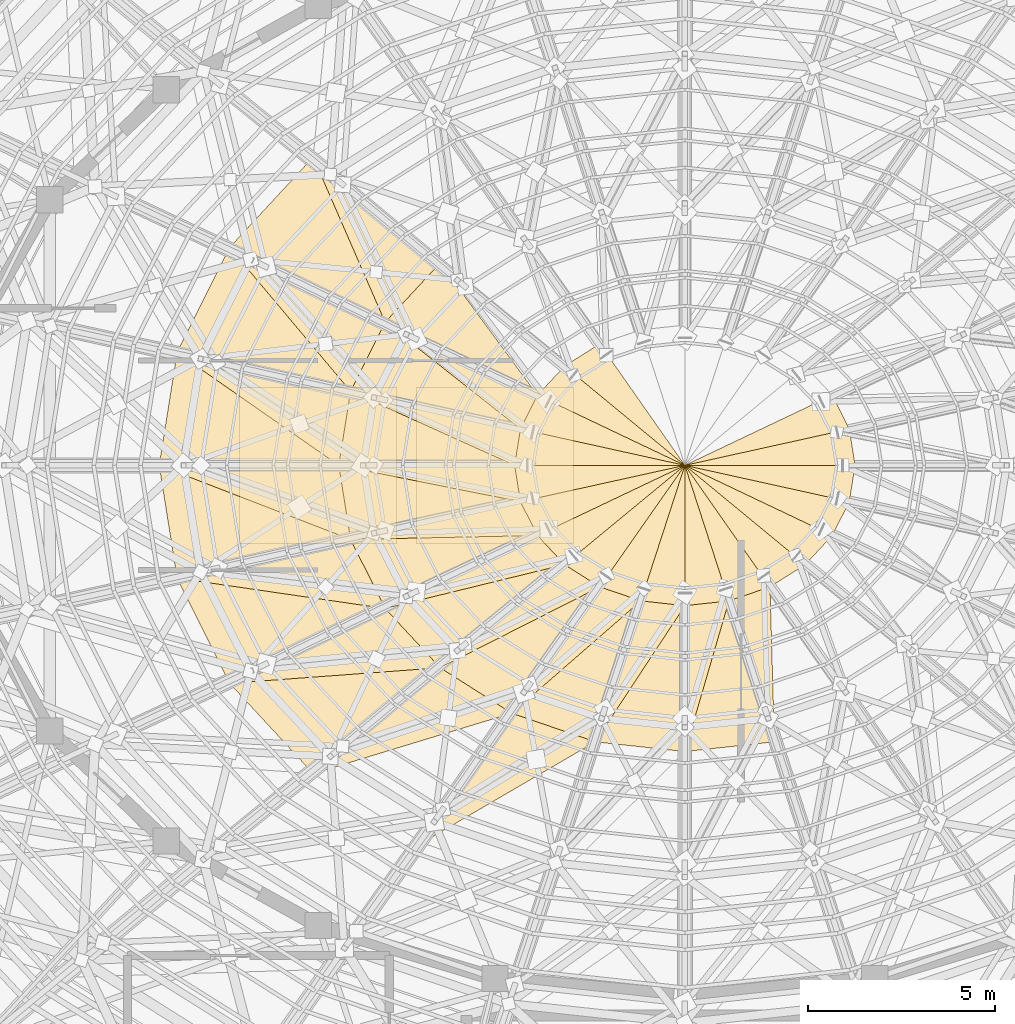
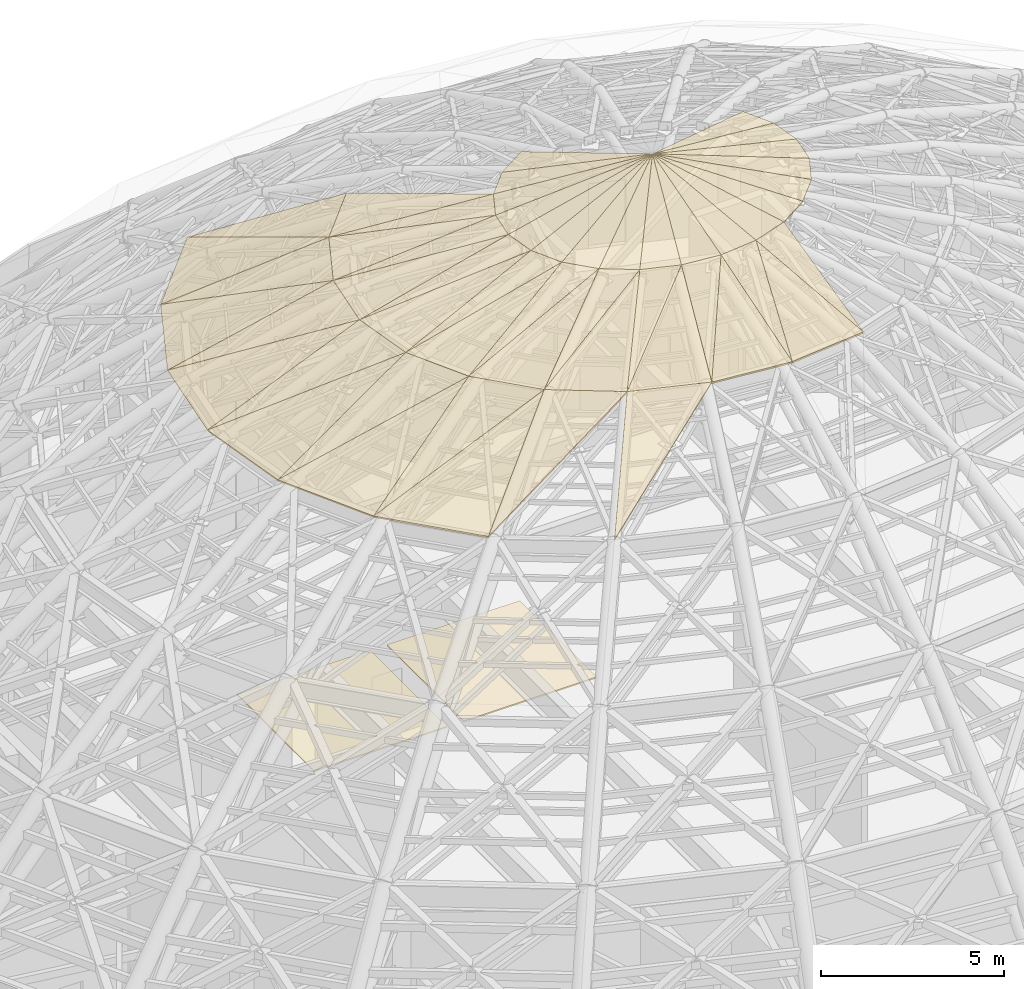
# One storey, part 44 of 50: 54 coverings, 9 elements without a shape of their own.
"""IFC4 building model written with IfcOpenShell, lengths in metres."""

from ifc_helpers import new_model, si_unit, direction, frame, origin, origin_2d, place, context, subcontext, project, spatial, polyline, rectangle, outline, extrude, material, layer, layer_set, type_object, element, aggregate, save


model = new_model("IFC4")

# Units and contexts
model_context = context("Model", 3, precision=1e-05, world=origin(), true_north=direction((0.0, 1.0)))
body_context = subcontext(model_context, "Body", "Model", "MODEL_VIEW")
ifc_project = project(units=[si_unit("LENGTHUNIT", "METRE"), si_unit("AREAUNIT", "SQUARE_METRE"), si_unit("VOLUMEUNIT", "CUBIC_METRE"), si_unit("PLANEANGLEUNIT", "RADIAN"), si_unit("MASSUNIT", "GRAM", prefix="KILO")], contexts=[model_context])

# Site, building, storey
site_placement = place(None, origin())
site = spatial("IfcSite", under=ifc_project, at=site_placement, CompositionType="ELEMENT")
building_placement = place(site_placement, origin())
building = spatial("IfcBuilding", under=site, at=building_placement, Name="Cinderbank Siding Concert Hall", CompositionType="ELEMENT")
storey_placement = place(building_placement, frame((0.0, 0.0, 23.699951171875)))
storey = spatial("IfcBuildingStorey", under=building, at=storey_placement, Name="L06", CompositionType="ELEMENT", Elevation=23.699951171875)

# Coverings
ifc_material_1 = material(Name="Spotted gum glulam timber GL18 (42 MPa)", Category="wood")
ifc_layer_1 = layer(ifc_material_1, 0.044921875)
ifc_layer_set_1 = layer_set([ifc_layer_1], Name="Spotted gum glulam timber GL18 (42 MPa)")
covering_type_1 = type_object("IfcCoveringType", Name="CLG-01 Perforated Timber Acoustic Ceiling", PredefinedType="CEILING", material=ifc_layer_set_1)
for number, where, z_axis, x_axis, name in (
    (1, (116.927001953125, 44.0, 3.5595703125), (0.0, 0.0, 1.0), (1.0, 0.0, 0.0), "Main Hall Timber Acoustic Reflector #4"),
    (2, (112.199951171875, 44.0, 3.5595703125), (0.0, 0.0, 1.0), (1.0, 0.0, 0.0), "Main Hall Timber Acoustic Reflector #5"),
):
    element("IfcCovering", number, at=place(storey_placement, frame(where, z_axis=z_axis, x_axis=x_axis)), inside=storey, type_object=covering_type_1, Name=name, PredefinedType="CEILING", context=body_context, shape_type="SweptSolid", body=[
        extrude(rectangle(XDim=4.199951171875, YDim=4.199951171875, at=origin_2d()), origin(), (0.0, 0.0, 1.0), 0.044921875),
    ])

# Roof, coverings
ifc_material_2 = material(Name="Patinated sheet copper roofing", Category="metal")
roof_type = type_object("IfcRoofType", Name="RF-DM1 Schwedler Dome Sector Roof", PredefinedType="DOME_ROOF", material=ifc_material_2)
roof_1_placement = place(storey_placement, origin())
roof_1 = element("IfcRoof", 3, at=roof_1_placement, inside=storey, type_object=roof_type, Name="Schwedler Dome Roof Bay 01", PredefinedType="DOME_ROOF")
ifc_layer_2 = layer(ifc_material_2, 0.080078125)
ifc_layer_set_2 = layer_set([ifc_layer_2], Name="Patinated sheet copper roofing")
covering_type_2 = type_object("IfcCoveringType", Name="RC-01 Standing Seam Copper Roofing", PredefinedType="ROOFING", material=ifc_layer_set_2)
covering_1_placement = place(storey_placement, frame((126.550048828125, 44.0, 17.650146484375), z_axis=(0.234791367525, 0.037498118304, 0.971322245632), x_axis=(-0.15770958656, 0.987485537265, 0.0)))
covering_1 = element("IfcCovering", 4, at=covering_1_placement, type_object=covering_type_2, Name="Dome Apex Copper Cap B01-0", PredefinedType="ROOFING", context=body_context, shape_type="SweptSolid", body=[
    extrude(outline(polyline([(0.0, 0.0), (0.9830049032300513, 0.0), (0.7175863195120349, 4.625763933471262), (0.0, 0.0)])), origin(), (0.0, 0.0, -1.0), 0.080078125),
])
covering_2_placement = place(storey_placement, frame((126.39501953125, 44.970703125, 17.650146484375), z_axis=(0.218408205893, 0.10979375793, 0.969661377141), x_axis=(-0.449142274421, 0.893460249439, 0.0)))
covering_2 = element("IfcCovering", 5, at=covering_2_placement, type_object=covering_type_2, Name="Dome Apex Copper Cap B01-1", PredefinedType="ROOFING", context=body_context, shape_type="SweptSolid", body=[
    extrude(outline(polyline([(0.0, 0.0), (1.0121288278551377, 0.0), (1.1067044121968443, 4.49926042109261), (0.0, 0.0)])), origin(), (0.0, 0.0, -1.0), 0.080078125),
])
aggregate(roof_1, [covering_1, covering_2])

roof_2_placement = place(storey_placement, origin())
roof_2 = element("IfcRoof", 6, at=roof_2_placement, inside=storey, type_object=roof_type, Name="Schwedler Dome Roof Bay 05", PredefinedType="DOME_ROOF")
covering_3_placement = place(storey_placement, frame((119.72509765625, 47.24755859375, 17.650146484375), z_axis=(-0.143010036916, 0.226144507372, 0.963538681697), x_axis=(-0.845181787125, -0.534478948801, 0.0)))
covering_3 = element("IfcCovering", 7, at=covering_3_placement, type_object=covering_type_2, Name="Dome Apex Copper Cap B05-0", PredefinedType="ROOFING", context=body_context, shape_type="SweptSolid", body=[
    extrude(outline(polyline([(0.0, 0.0), (1.1150060576971428, 0.0), (-0.18695432506816448, 4.1105405155051935), (0.0, 0.0)])), origin(), (0.0, 0.0, -1.0), 0.080078125),
])
covering_4_placement = place(storey_placement, frame((112.065185546875, 52.23779296875, 14.449951171875), z_axis=(-0.303170315783, 0.280562147946, 0.910698984719), x_axis=(-0.679211050537, -0.733943014701, 0.0)))
covering_4 = element("IfcCovering", 8, at=covering_4_placement, type_object=covering_type_2, Name="Dome Copper Facet B05-1-3-0", PredefinedType="ROOFING", context=body_context, shape_type="SweptSolid", body=[
    extrude(outline(polyline([(0.0, 0.0), (3.287505635376368, 0.0), (1.9319232669533823, 4.84178678776735), (0.0, 0.0)])), origin(), (0.0, 0.0, -1.0), 0.080078125),
])
covering_5_placement = place(storey_placement, frame((112.065185546875, 52.23779296875, 14.449951171875), z_axis=(-0.302685382474, 0.280811816314, 0.910783334858), x_axis=(0.369092134932, -0.84650936923, 0.383657247731)))
covering_5 = element("IfcCovering", 9, at=covering_5_placement, type_object=covering_type_2, Name="Dome Copper Facet B05-1-3-1", PredefinedType="ROOFING", context=body_context, shape_type="SweptSolid", body=[
    extrude(outline(polyline([(0.0, 0.0), (5.212986361731085, 1.1102230246251565e-16), (4.414270038030822, 2.008337546505685), (0.0, 0.0)])), origin(), (0.0, 0.0, -1.0), 0.080078125),
])
covering_6_placement = place(storey_placement, frame((115.459228515625, 49.409423828125, 16.449951171875), z_axis=(-0.196655501598, 0.18244418723, 0.963348707497), x_axis=(-0.680121749574, -0.733099178663, 0.0)))
covering_6 = element("IfcCovering", 10, at=covering_6_placement, type_object=covering_type_2, Name="Dome Copper Facet B05-1-4-0", PredefinedType="ROOFING", context=body_context, shape_type="SweptSolid", body=[
    extrude(outline(polyline([(0.0, 0.0), (2.161334649342794, 0.0), (0.822534193066963, 4.474129585380327), (0.0, 0.0)])), origin(), (0.0, 0.0, -1.0), 0.080078125),
])
covering_7_placement = place(storey_placement, frame((118.78271484375, 46.651611328125, 17.650146484375), z_axis=(-0.186999566506, 0.174125342971, 0.966804802978), x_axis=(-0.681465273094, -0.731850450274, 0.0)))
covering_7 = element("IfcCovering", 11, at=covering_7_placement, type_object=covering_type_2, Name="Dome Apex Copper Cap B05-1", PredefinedType="ROOFING", context=body_context, shape_type="SweptSolid", body=[
    extrude(outline(polyline([(0.0, 0.0), (1.0611612356512363, 0.0), (-0.25188516318493387, 4.304439340084535), (0.0, 0.0)])), origin(), (0.0, 0.0, -1.0), 0.080078125),
])
aggregate(roof_2, [covering_3, covering_4, covering_5, covering_6, covering_7])

roof_3_placement = place(storey_placement, origin())
roof_3 = element("IfcRoof", 12, at=roof_3_placement, inside=storey, type_object=roof_type, Name="Schwedler Dome Roof Bay 06", PredefinedType="DOME_ROOF")
covering_8_placement = place(storey_placement, frame((109.832275390625, 49.824951171875, 14.449951171875), z_axis=(-0.356024939339, 0.177842330025, 0.917397595495), x_axis=(-0.446871549443, -0.894598132291, 0.0)))
covering_8 = element("IfcCovering", 13, at=covering_8_placement, type_object=covering_type_2, Name="Dome Copper Facet B06-0-3-0", PredefinedType="ROOFING", context=body_context, shape_type="SweptSolid", body=[
    extrude(outline(polyline([(0.0, 0.0), (3.1408677837607595, -2.220446049250313e-16), (1.995008038995129, 5.02548014727138), (0.0, 0.0)])), origin(), (0.0, 0.0, -1.0), 0.080078125),
])
covering_9_placement = place(storey_placement, frame((109.832275390625, 49.824951171875, 14.449951171875), z_axis=(-0.35569592618, 0.178153907714, 0.917464764046), x_axis=(0.597913438887, -0.71111152009, 0.369891775515)))
covering_9 = element("IfcCovering", 14, at=covering_9_placement, type_object=covering_type_2, Name="Dome Copper Facet B06-0-3-1", PredefinedType="ROOFING", context=body_context, shape_type="SweptSolid", body=[
    extrude(outline(polyline([(0.0, 0.0), (5.406986941566806, 1.1102230246251565e-16), (4.647522246465912, 1.918603613147381), (0.0, 0.0)])), origin(), (0.0, 0.0, -1.0), 0.080078125),
])
covering_10_placement = place(storey_placement, frame((113.9892578125, 47.824951171875, 16.449951171875), z_axis=(-0.229886640223, 0.115141052434, 0.966382259094), x_axis=(-0.447828736575, -0.894119355957, 0.0)))
covering_10 = element("IfcCovering", 15, at=covering_10_placement, type_object=covering_type_2, Name="Dome Copper Facet B06-0-4-0", PredefinedType="ROOFING", context=body_context, shape_type="SweptSolid", body=[
    extrude(outline(polyline([(0.0, 0.0), (2.0634501320572003, 0.0), (0.9328139164596922, 4.668030551037066), (0.0, 0.0)])), origin(), (0.0, 0.0, -1.0), 0.080078125),
])
covering_11_placement = place(storey_placement, frame((113.9892578125, 47.824951171875, 16.449951171875), z_axis=(-0.229652232559, 0.115446127706, 0.966401595445), x_axis=(0.759554461714, -0.599591574065, 0.252124897622)))
covering_11 = element("IfcCovering", 16, at=covering_11_placement, type_object=covering_type_2, Name="Dome Copper Facet B06-0-4-1", PredefinedType="ROOFING", context=body_context, shape_type="SweptSolid", body=[
    extrude(outline(polyline([(0.0, 0.0), (4.760320475362587, 2.498001805406602e-16), (4.563397432729729, 0.9927870262325311), (0.0, 0.0)])), origin(), (0.0, 0.0, -1.0), 0.080078125),
])
covering_12_placement = place(storey_placement, frame((118.0595703125, 45.875, 17.650146484375), z_axis=(-0.218408205893, 0.10979375793, 0.969661377141), x_axis=(-0.449142274421, -0.893460249439, 0.0)))
covering_12 = element("IfcCovering", 17, at=covering_12_placement, type_object=covering_type_2, Name="Dome Apex Copper Cap B06-0", PredefinedType="ROOFING", context=body_context, shape_type="SweptSolid", body=[
    extrude(outline(polyline([(0.0, 0.0), (1.0121288278551377, 0.0), (-0.09457558434170665, 4.49926042109261), (0.0, 0.0)])), origin(), (0.0, 0.0, -1.0), 0.080078125),
])
covering_13_placement = place(storey_placement, frame((108.4287109375, 47.01513671875, 14.449951171875), z_axis=(-0.38389681849, 0.060957219519, 0.921361736856), x_axis=(-0.156820785113, -0.987627076055, 0.0)))
covering_13 = element("IfcCovering", 18, at=covering_13_placement, type_object=covering_type_2, Name="Dome Copper Facet B06-1-3-0", PredefinedType="ROOFING", context=body_context, shape_type="SweptSolid", body=[
    extrude(outline(polyline([(0.0, 0.0), (3.0529101437703376, 0.0), (2.300162717963835, 5.145273565645064), (0.0, 0.0)])), origin(), (0.0, 0.0, -1.0), 0.080078125),
])
covering_14_placement = place(storey_placement, frame((108.4287109375, 47.01513671875, 14.449951171875), z_axis=(-0.383811191912, 0.061097441277, 0.921388122146), x_axis=(0.766728666461, -0.534977346372, 0.35486108676)))
covering_14 = element("IfcCovering", 19, at=covering_14_placement, type_object=covering_type_2, Name="Dome Copper Facet B06-1-3-1", PredefinedType="ROOFING", context=body_context, shape_type="SweptSolid", body=[
    extrude(outline(polyline([(0.0, 0.0), (5.6360082145465915, 5.551115123125783e-16), (4.818425311549058, 1.8306345299694557), (0.0, 0.0)])), origin(), (0.0, 0.0, -1.0), 0.080078125),
])
covering_15_placement = place(storey_placement, frame((113.065185546875, 45.97998046875, 16.449951171875), z_axis=(-0.247231768345, 0.039355883222, 0.96815678853), x_axis=(-0.157206821331, -0.987565701777, 0.0)))
covering_15 = element("IfcCovering", 20, at=covering_15_placement, type_object=covering_type_2, Name="Dome Copper Facet B06-1-4-0", PredefinedType="ROOFING", context=body_context, shape_type="SweptSolid", body=[
    extrude(outline(polyline([(0.0, 0.0), (2.004910119080245, 0.0), (1.2660457349387788, 4.794172423683092), (0.0, 0.0)])), origin(), (0.0, 0.0, -1.0), 0.080078125),
])
covering_16_placement = place(storey_placement, frame((113.065185546875, 45.97998046875, 16.449951171875), z_axis=(-0.24717955505, 0.039476614048, 0.968165205173), x_axis=(0.884288460866, -0.399308430825, 0.242046886059)))
covering_16 = element("IfcCovering", 21, at=covering_16_placement, type_object=covering_type_2, Name="Dome Copper Facet B06-1-4-1", PredefinedType="ROOFING", context=body_context, shape_type="SweptSolid", body=[
    extrude(outline(polyline([(0.0, 0.0), (4.9585240778844755, -5.551115123125783e-17), (4.708004754566165, 0.9505465314325534), (0.0, 0.0)])), origin(), (0.0, 0.0, -1.0), 0.080078125),
])
covering_17_placement = place(storey_placement, frame((117.60498046875, 44.970703125, 17.650146484375), z_axis=(-0.234791367525, 0.037498118304, 0.971322245632), x_axis=(-0.15770958656, -0.987485537265, 0.0)))
covering_17 = element("IfcCovering", 22, at=covering_17_placement, type_object=covering_type_2, Name="Dome Apex Copper Cap B06-1", PredefinedType="ROOFING", context=body_context, shape_type="SweptSolid", body=[
    extrude(outline(polyline([(0.0, 0.0), (0.9830049032300513, 0.0), (0.2654185837180164, 4.625763933471263), (0.0, 0.0)])), origin(), (0.0, 0.0, -1.0), 0.080078125),
])
aggregate(roof_3, [covering_8, covering_9, covering_10, covering_11, covering_12, covering_13, covering_14, covering_15, covering_16, covering_17])

roof_4_placement = place(storey_placement, origin())
roof_4 = element("IfcRoof", 23, at=roof_4_placement, inside=storey, type_object=roof_type, Name="Schwedler Dome Roof Bay 07", PredefinedType="DOME_ROOF")
covering_18_placement = place(storey_placement, frame((107.949951171875, 44.0, 14.449951171875), z_axis=(-0.383842951321, -0.060948666198, 0.921384745266), x_axis=(0.156820785113, -0.987627076055, 0.0)))
covering_18 = element("IfcCovering", 24, at=covering_18_placement, type_object=covering_type_2, Name="Dome Copper Facet B07-0-3-0", PredefinedType="ROOFING", context=body_context, shape_type="SweptSolid", body=[
    extrude(outline(polyline([(0.0, 0.0), (3.0529101437703376, 5.551115123125783e-17), (2.7576573917208735, 5.145995635219714), (0.0, 0.0)])), origin(), (0.0, 0.0, -1.0), 0.080078125),
])
covering_19_placement = place(storey_placement, frame((107.949951171875, 44.0, 14.449951171875), z_axis=(-0.383893213655, -0.061110498006, 0.921353085165), x_axis=(0.876148790285, -0.339135485358, 0.342564475469)))
covering_19 = element("IfcCovering", 25, at=covering_19_placement, type_object=covering_type_2, Name="Dome Copper Facet B07-0-3-1", PredefinedType="ROOFING", context=body_context, shape_type="SweptSolid", body=[
    extrude(outline(polyline([(0.0, 0.0), (5.838316997886729, 3.885780586188048e-16), (4.890685925008665, 1.7668219874413866), (0.0, 0.0)])), origin(), (0.0, 0.0, -1.0), 0.080078125),
])
covering_20_placement = place(storey_placement, frame((112.75, 44.0, 16.449951171875), z_axis=(-0.247206784089, -0.039351906074, 0.968163329913), x_axis=(0.157206821331, -0.987565701777, 0.0)))
covering_20 = element("IfcCovering", 26, at=covering_20_placement, type_object=covering_type_2, Name="Dome Copper Facet B07-0-4-0", PredefinedType="ROOFING", context=body_context, shape_type="SweptSolid", body=[
    extrude(outline(polyline([(0.0, 0.0), (2.004910119080245, -5.551115123125783e-17), (1.7218691599744633, 4.794656952577999), (0.0, 0.0)])), origin(), (0.0, 0.0, -1.0), 0.080078125),
])
covering_21_placement = place(storey_placement, frame((112.75, 44.0, 16.449951171875), z_axis=(-0.247230510444, -0.039484752045, 0.968151862603), x_axis=(0.952991321116, -0.190540756952, 0.235588119009)))
covering_21 = element("IfcCovering", 27, at=covering_21_placement, type_object=covering_type_2, Name="Dome Copper Facet B07-0-4-1", PredefinedType="ROOFING", context=body_context, shape_type="SweptSolid", body=[
    extrude(outline(polyline([(0.0, 0.0), (5.094464515233737, 1.3877787807814457e-17), (4.76176443257958, 0.9249915106509029), (0.0, 0.0)])), origin(), (0.0, 0.0, -1.0), 0.080078125),
])
covering_22_placement = place(storey_placement, frame((117.449951171875, 44.0, 17.650146484375), z_axis=(-0.234791367525, -0.037498118304, 0.971322245632), x_axis=(0.15770958656, -0.987485537265, 0.0)))
covering_22 = element("IfcCovering", 28, at=covering_22_placement, type_object=covering_type_2, Name="Dome Apex Copper Cap B07-0", PredefinedType="ROOFING", context=body_context, shape_type="SweptSolid", body=[
    extrude(outline(polyline([(0.0, 0.0), (0.9830049032300513, 0.0), (0.7175863195120349, 4.625763933471262), (0.0, 0.0)])), origin(), (0.0, 0.0, -1.0), 0.080078125),
])
covering_23_placement = place(storey_placement, frame((108.4287109375, 40.98486328125, 14.449951171875), z_axis=(-0.355881462825, -0.177770660334, 0.91746715295), x_axis=(0.446871549443, -0.894598132291, 0.0)))
covering_23 = element("IfcCovering", 29, at=covering_23_placement, type_object=covering_type_2, Name="Dome Copper Facet B07-1-3-0", PredefinedType="ROOFING", context=body_context, shape_type="SweptSolid", body=[
    extrude(outline(polyline([(0.0, 0.0), (3.1408677837607595, 0.0), (3.2093086950498786, 5.027506210581908), (0.0, 0.0)])), origin(), (0.0, 0.0, -1.0), 0.080078125),
])
covering_24_placement = place(storey_placement, frame((108.4287109375, 40.98486328125, 14.449951171875), z_axis=(-0.355914248296, -0.178263256557, 0.917358849754), x_axis=(0.932270873207, -0.13577197429, 0.335316253658)))
covering_24 = element("IfcCovering", 30, at=covering_24_placement, type_object=covering_type_2, Name="Dome Copper Facet B07-1-3-1", PredefinedType="ROOFING", context=body_context, shape_type="SweptSolid", body=[
    extrude(outline(polyline([(0.0, 0.0), (5.964518505090114, -5.551115123125783e-17), (4.852537532239084, 1.738195835774598), (0.0, 0.0)])), origin(), (0.0, 0.0, -1.0), 0.080078125),
])
covering_25_placement = place(storey_placement, frame((113.065185546875, 42.02001953125, 16.449951171875), z_axis=(-0.229815871271, -0.115105607088, 0.966403313596), x_axis=(0.447828736575, -0.894119355957, 0.0)))
covering_25 = element("IfcCovering", 31, at=covering_25_placement, type_object=covering_type_2, Name="Dome Copper Facet B07-1-4-0", PredefinedType="ROOFING", context=body_context, shape_type="SweptSolid", body=[
    extrude(outline(polyline([(0.0, 0.0), (2.0634501320572003, 0.0), (2.1427639504531686, 4.669468013244266), (0.0, 0.0)])), origin(), (0.0, 0.0, -1.0), 0.080078125),
])
covering_26_placement = place(storey_placement, frame((113.065185546875, 42.02001953125, 16.449951171875), z_axis=(-0.229796455971, -0.115518628784, 0.966358647308), x_axis=(0.972116085434, 0.020433588343, 0.233608186733)))
covering_26 = element("IfcCovering", 32, at=covering_26_placement, type_object=covering_type_2, Name="Dome Copper Facet B07-1-4-1", PredefinedType="ROOFING", context=body_context, shape_type="SweptSolid", body=[
    extrude(outline(polyline([(0.0, 0.0), (5.137642345869653, -2.7755575615628914e-17), (4.714206276569281, 0.9192968287723315), (0.0, 0.0)])), origin(), (0.0, 0.0, -1.0), 0.080078125),
])
covering_27_placement = place(storey_placement, frame((117.60498046875, 43.029296875, 17.650146484375), z_axis=(-0.218408205893, -0.10979375793, 0.969661377141), x_axis=(0.449142274421, -0.893460249439, 0.0)))
covering_27 = element("IfcCovering", 33, at=covering_27_placement, type_object=covering_type_2, Name="Dome Apex Copper Cap B07-1", PredefinedType="ROOFING", context=body_context, shape_type="SweptSolid", body=[
    extrude(outline(polyline([(0.0, 0.0), (1.0121288278551377, 0.0), (1.1067044121968443, 4.49926042109261), (0.0, 0.0)])), origin(), (0.0, 0.0, -1.0), 0.080078125),
])
aggregate(roof_4, [covering_18, covering_19, covering_20, covering_21, covering_22, covering_23, covering_24, covering_25, covering_26, covering_27])

roof_5_placement = place(storey_placement, origin())
roof_5 = element("IfcRoof", 34, at=roof_5_placement, inside=storey, type_object=roof_type, Name="Schwedler Dome Roof Bay 08", PredefinedType="DOME_ROOF")
covering_28_placement = place(storey_placement, frame((109.832275390625, 38.175048828125, 14.449951171875), z_axis=(-0.303017367937, -0.280420605803, 0.910793477452), x_axis=(0.679211050537, -0.733943014701, 0.0)))
covering_28 = element("IfcCovering", 35, at=covering_28_placement, type_object=covering_type_2, Name="Dome Copper Facet B08-0-3-0", PredefinedType="ROOFING", context=body_context, shape_type="SweptSolid", body=[
    extrude(outline(polyline([(0.0, 0.0), (3.287505635376368, 0.0), (3.5169153519905905, 4.844230676927359), (0.0, 0.0)])), origin(), (0.0, 0.0, -1.0), 0.080078125),
])
covering_29_placement = place(storey_placement, frame((109.832275390625, 38.175048828125, 14.449951171875), z_axis=(-0.302917834305, -0.281027470007, 0.910639526246), x_axis=(0.939978652188, 0.069413557186, 0.334098625422)))
covering_29 = element("IfcCovering", 36, at=covering_29_placement, type_object=covering_type_2, Name="Dome Copper Facet B08-0-3-1", PredefinedType="ROOFING", context=body_context, shape_type="SweptSolid", body=[
    extrude(outline(polyline([(0.0, 0.0), (5.986256296246528, 0.0), (4.714499099301068, 1.7475700553818045), (0.0, 0.0)])), origin(), (0.0, 0.0, -1.0), 0.080078125),
])
covering_30_placement = place(storey_placement, frame((113.9892578125, 40.175048828125, 16.449951171875), z_axis=(-0.196573118195, -0.182367757265, 0.963379992689), x_axis=(0.680121749574, -0.733099178663, 0.0)))
covering_30 = element("IfcCovering", 37, at=covering_30_placement, type_object=covering_type_2, Name="Dome Copper Facet B08-0-4-0", PredefinedType="ROOFING", context=body_context, shape_type="SweptSolid", body=[
    extrude(outline(polyline([(0.0, 0.0), (2.161334649342794, -2.220446049250313e-16), (2.399959906853288, 4.476004684203879), (0.0, 0.0)])), origin(), (0.0, 0.0, -1.0), 0.080078125),
])
covering_31_placement = place(storey_placement, frame((113.9892578125, 40.175048828125, 16.449951171875), z_axis=(-0.196424689702, -0.182901581546, 0.963309063979), x_axis=(0.94381290006, 0.231026015977, 0.236313752505)))
covering_31 = element("IfcCovering", 38, at=covering_31_placement, type_object=covering_type_2, Name="Dome Copper Facet B08-0-4-1", PredefinedType="ROOFING", context=body_context, shape_type="SweptSolid", body=[
    extrude(outline(polyline([(0.0, 0.0), (5.078821269499284, -2.220446049250313e-16), (4.575725553397122, 0.9343221438500278), (0.0, 0.0)])), origin(), (0.0, 0.0, -1.0), 0.080078125),
])
covering_32_placement = place(storey_placement, frame((118.0595703125, 42.125, 17.650146484375), z_axis=(-0.186999566506, -0.174125342971, 0.966804802978), x_axis=(0.681465273094, -0.731850450274, 0.0)))
covering_32 = element("IfcCovering", 39, at=covering_32_placement, type_object=covering_type_2, Name="Dome Apex Copper Cap B08-0", PredefinedType="ROOFING", context=body_context, shape_type="SweptSolid", body=[
    extrude(outline(polyline([(0.0, 0.0), (1.0611612356512363, 0.0), (1.3130463988361702, 4.304439340084535), (0.0, 0.0)])), origin(), (0.0, 0.0, -1.0), 0.080078125),
])
covering_33_placement = place(storey_placement, frame((112.065185546875, 35.76220703125, 14.449951171875), z_axis=(-0.230047592211, -0.362559440867, 0.903121673506), x_axis=(0.900159533116, 0.273412748897, 0.33905498622)))
covering_33 = element("IfcCovering", 40, at=covering_33_placement, type_object=covering_type_2, Name="Dome Copper Facet B08-1-3-1", PredefinedType="ROOFING", context=body_context, shape_type="SweptSolid", body=[
    extrude(outline(polyline([(0.0, 0.0), (5.898748230486243, 2.220446049250313e-16), (4.506602288200087, 1.7915734663560021), (0.0, 0.0)])), origin(), (0.0, 0.0, -1.0), 0.080078125),
])
covering_34_placement = place(storey_placement, frame((115.459228515625, 38.590576171875, 16.449951171875), z_axis=(-0.150149457061, -0.236638439357, 0.959925720857), x_axis=(0.844369673606, -0.535761004828, 0.0)))
covering_34 = element("IfcCovering", 41, at=covering_34_placement, type_object=covering_type_2, Name="Dome Copper Facet B08-1-4-0", PredefinedType="ROOFING", context=body_context, shape_type="SweptSolid", body=[
    extrude(outline(polyline([(0.0, 0.0), (2.2688776542543385, 1.1102230246251565e-16), (2.443727443644661, 4.282518626446458), (0.0, 0.0)])), origin(), (0.0, 0.0, -1.0), 0.080078125),
])
covering_35_placement = place(storey_placement, frame((115.459228515625, 38.590576171875, 16.449951171875), z_axis=(-0.149914933589, -0.237063352582, 0.959857530861), x_axis=(0.865165600369, 0.438450259902, 0.243412928027)))
covering_35 = element("IfcCovering", 42, at=covering_35_placement, type_object=covering_type_2, Name="Dome Copper Facet B08-1-4-1", PredefinedType="ROOFING", context=body_context, shape_type="SweptSolid", body=[
    extrude(outline(polyline([(0.0, 0.0), (4.930696665247511, 3.0531133177191805e-16), (4.376672706994851, 0.9676238744385034), (0.0, 0.0)])), origin(), (0.0, 0.0, -1.0), 0.080078125),
])
covering_36_placement = place(storey_placement, frame((118.78271484375, 41.348388671875, 17.650146484375), z_axis=(-0.143010036916, -0.226144507372, 0.963538681697), x_axis=(0.845181787125, -0.534478948801, 0.0)))
covering_36 = element("IfcCovering", 43, at=covering_36_placement, type_object=covering_type_2, Name="Dome Apex Copper Cap B08-1", PredefinedType="ROOFING", context=body_context, shape_type="SweptSolid", body=[
    extrude(outline(polyline([(0.0, 0.0), (1.1150060576971428, 0.0), (1.3019603827653075, 4.1105405155051935), (0.0, 0.0)])), origin(), (0.0, 0.0, -1.0), 0.080078125),
])
aggregate(roof_5, [covering_28, covering_29, covering_30, covering_31, covering_32, covering_33, covering_34, covering_35, covering_36])

roof_6_placement = place(storey_placement, origin())
roof_6 = element("IfcRoof", 44, at=roof_6_placement, inside=storey, type_object=roof_type, Name="Schwedler Dome Roof Bay 09", PredefinedType="DOME_ROOF")
covering_37_placement = place(storey_placement, frame((114.97509765625, 33.910888671875, 14.449951171875), z_axis=(-0.143379435432, -0.418460964861, 0.896846005947), x_axis=(0.809406807677, 0.471869489629, 0.34957088615)))
covering_37 = element("IfcCovering", 45, at=covering_37_placement, type_object=covering_type_2, Name="Dome Copper Facet B09-0-3-1", PredefinedType="ROOFING", context=body_context, shape_type="SweptSolid", body=[
    extrude(outline(polyline([(0.0, 0.0), (5.721300254802756, 2.220446049250313e-16), (4.276247511511605, 1.86368070588057), (0.0, 0.0)])), origin(), (0.0, 0.0, -1.0), 0.080078125),
])
covering_38_placement = place(storey_placement, frame((117.375, 37.375, 16.449951171875), z_axis=(-0.094058710851, -0.274515649875, 0.956971325008), x_axis=(0.946010356205, -0.324136400227, 0.0)))
covering_38 = element("IfcCovering", 46, at=covering_38_placement, type_object=covering_type_2, Name="Dome Copper Facet B09-0-4-0", PredefinedType="ROOFING", context=body_context, shape_type="SweptSolid", body=[
    extrude(outline(polyline([(0.0, 0.0), (2.358279712918885, -1.1102230246251565e-16), (2.2881002572208557, 4.136001701951366), (0.0, 0.0)])), origin(), (0.0, 0.0, -1.0), 0.080078125),
])
covering_39_placement = place(storey_placement, frame((117.375, 37.375, 16.449951171875), z_axis=(-0.09382830832, -0.274761072248, 0.956923508821), x_axis=(0.729365687205, 0.635257317961, 0.253916983096)))
covering_39 = element("IfcCovering", 47, at=covering_39_placement, type_object=covering_type_2, Name="Dome Copper Facet B09-0-4-1", PredefinedType="ROOFING", context=body_context, shape_type="SweptSolid", body=[
    extrude(outline(polyline([(0.0, 0.0), (4.726723269416006, 1.6653345369377348e-16), (4.164374934231615, 1.014159574156911), (0.0, 0.0)])), origin(), (0.0, 0.0, -1.0), 0.080078125),
])
covering_40_placement = place(storey_placement, frame((119.72509765625, 40.75244140625, 17.650146484375), z_axis=(-0.089663597676, -0.262565388633, 0.960739223694), x_axis=(0.946342004297, -0.323166846851, 0.0)))
covering_40 = element("IfcCovering", 48, at=covering_40_placement, type_object=covering_type_2, Name="Dome Apex Copper Cap B09-0", PredefinedType="ROOFING", context=body_context, shape_type="SweptSolid", body=[
    extrude(outline(polyline([(0.0, 0.0), (1.1596358445386128, 5.551115123125783e-17), (1.1033323728574764, 3.964108086855867), (0.0, 0.0)])), origin(), (0.0, 0.0, -1.0), 0.080078125),
])
covering_41_placement = place(storey_placement, frame((119.60595703125, 36.610595703125, 16.449951171875), z_axis=(-0.031988865675, -0.29398577021, 0.955274347707), x_axis=(0.994132145176, -0.10817244533, 0.0)))
covering_41 = element("IfcCovering", 49, at=covering_41_placement, type_object=covering_type_2, Name="Dome Copper Facet B09-1-4-0", PredefinedType="ROOFING", context=body_context, shape_type="SweptSolid", body=[
    extrude(outline(polyline([(0.0, 0.0), (2.4081737829000227, 0.0), (1.9863118098298311, 4.058539091176903), (0.0, 0.0)])), origin(), (0.0, 0.0, -1.0), 0.080078125),
])
covering_42_placement = place(storey_placement, frame((119.60595703125, 36.610595703125, 16.449951171875), z_axis=(-0.031886203618, -0.294048107169, 0.955258593622), x_axis=(0.529827046446, 0.805438688698, 0.265615924978)))
covering_42 = element("IfcCovering", 50, at=covering_42_placement, type_object=covering_type_2, Name="Dome Copper Facet B09-1-4-1", PredefinedType="ROOFING", context=body_context, shape_type="SweptSolid", body=[
    extrude(outline(polyline([(0.0, 0.0), (4.518536727800329, 8.326672684688674e-17), (3.9975134341426877, 1.0636360178159652), (0.0, 0.0)])), origin(), (0.0, 0.0, -1.0), 0.080078125),
])
covering_43_placement = place(storey_placement, frame((120.822509765625, 40.377685546875, 17.650146484375), z_axis=(-0.030504691113, -0.281308078846, 0.95913253964), x_axis=(0.994171870279, -0.107806736089, 0.0)))
covering_43 = element("IfcCovering", 51, at=covering_43_placement, type_object=covering_type_2, Name="Dome Apex Copper Cap B09-1", PredefinedType="ROOFING", context=body_context, shape_type="SweptSolid", body=[
    extrude(outline(polyline([(0.0, 0.0), (1.1843930305980614, 0.0), (0.7801177702653755, 3.8869961756754545), (0.0, 0.0)])), origin(), (0.0, 0.0, -1.0), 0.080078125),
])
aggregate(roof_6, [covering_37, covering_38, covering_39, covering_40, covering_41, covering_42, covering_43])

roof_7_placement = place(storey_placement, origin())
roof_7 = element("IfcRoof", 52, at=roof_7_placement, inside=storey, type_object=roof_type, Name="Schwedler Dome Roof Bay 10", PredefinedType="DOME_ROOF")
covering_44_placement = place(storey_placement, frame((122.0, 36.35009765625, 16.449951171875), z_axis=(0.031992146467, -0.294015921511, 0.955264958251), x_axis=(0.994132145176, 0.10817244533, 0.0)))
covering_44 = element("IfcCovering", 53, at=covering_44_placement, type_object=covering_type_2, Name="Dome Copper Facet B10-0-4-0", PredefinedType="ROOFING", context=body_context, shape_type="SweptSolid", body=[
    extrude(outline(polyline([(0.0, 0.0), (2.4081737829000227, 0.0), (1.606254923531431, 4.058122888422139), (0.0, 0.0)])), origin(), (0.0, 0.0, -1.0), 0.080078125),
])
covering_45_placement = place(storey_placement, frame((122.0, 36.35009765625, 16.449951171875), z_axis=(0.031879555274, -0.293986797487, 0.955277685733), x_axis=(0.269791260661, 0.922817007491, 0.274993538754)))
covering_45 = element("IfcCovering", 54, at=covering_45_placement, type_object=covering_type_2, Name="Dome Copper Facet B10-0-4-1", PredefinedType="ROOFING", context=body_context, shape_type="SweptSolid", body=[
    extrude(outline(polyline([(0.0, 0.0), (4.364449135561624, 2.220446049250313e-16), (3.928942166546282, 1.101417509788332), (0.0, 0.0)])), origin(), (0.0, 0.0, -1.0), 0.080078125),
])
covering_46_placement = place(storey_placement, frame((122.0, 40.25, 17.650146484375), z_axis=(0.030504691113, -0.281308078846, 0.95913253964), x_axis=(0.994171870279, 0.107806736089, 0.0)))
covering_46 = element("IfcCovering", 55, at=covering_46_placement, type_object=covering_type_2, Name="Dome Apex Copper Cap B10-0", PredefinedType="ROOFING", context=body_context, shape_type="SweptSolid", body=[
    extrude(outline(polyline([(0.0, 0.0), (1.1843930305980614, 0.0), (0.40427526033268585, 3.8869961756754545), (0.0, 0.0)])), origin(), (0.0, 0.0, -1.0), 0.080078125),
])
covering_47_placement = place(storey_placement, frame((124.39404296875, 36.610595703125, 16.449951171875), z_axis=(0.093775848177, -0.274607451176, 0.956972746768), x_axis=(-0.027617982413, 0.960121048419, 0.278217216271)))
covering_47 = element("IfcCovering", 56, at=covering_47_placement, type_object=covering_type_2, Name="Dome Copper Facet B10-1-4-1", PredefinedType="ROOFING", context=body_context, shape_type="SweptSolid", body=[
    extrude(outline(polyline([(0.0, 0.0), (4.313878661386687, -2.7755575615628914e-17), (3.984375981118244, 1.1118377919618914), (0.0, 0.0)])), origin(), (0.0, 0.0, -1.0), 0.080078125),
])
covering_48_placement = place(storey_placement, frame((123.177490234375, 40.377685546875, 17.650146484375), z_axis=(0.089663597676, -0.262565388633, 0.960739223694), x_axis=(0.946342004297, 0.323166846851, 0.0)))
covering_48 = element("IfcCovering", 57, at=covering_48_placement, type_object=covering_type_2, Name="Dome Apex Copper Cap B10-1", PredefinedType="ROOFING", context=body_context, shape_type="SweptSolid", body=[
    extrude(outline(polyline([(0.0, 0.0), (1.1596358445386128, -5.551115123125783e-17), (0.0563034716811366, 3.964108086855867), (0.0, 0.0)])), origin(), (0.0, 0.0, -1.0), 0.080078125),
])
aggregate(roof_7, [covering_44, covering_45, covering_46, covering_47, covering_48])

roof_8_placement = place(storey_placement, origin())
roof_8 = element("IfcRoof", 58, at=roof_8_placement, inside=storey, type_object=roof_type, Name="Schwedler Dome Roof Bay 11", PredefinedType="DOME_ROOF")
covering_49_placement = place(storey_placement, frame((124.27490234375, 40.75244140625, 17.650146484375), z_axis=(0.143010036916, -0.226144507372, 0.963538681697), x_axis=(0.845181787125, 0.534478948801, 0.0)))
covering_49 = element("IfcCovering", 59, at=covering_49_placement, type_object=covering_type_2, Name="Dome Apex Copper Cap B11-0", PredefinedType="ROOFING", context=body_context, shape_type="SweptSolid", body=[
    extrude(outline(polyline([(0.0, 0.0), (1.1150060576971428, 0.0), (-0.18695432506816448, 4.1105405155051935), (0.0, 0.0)])), origin(), (0.0, 0.0, -1.0), 0.080078125),
])
covering_50_placement = place(storey_placement, frame((125.21728515625, 41.348388671875, 17.650146484375), z_axis=(0.186999566506, -0.174125342971, 0.966804802978), x_axis=(0.681465273094, 0.731850450274, 0.0)))
covering_50 = element("IfcCovering", 60, at=covering_50_placement, type_object=covering_type_2, Name="Dome Apex Copper Cap B11-1", PredefinedType="ROOFING", context=body_context, shape_type="SweptSolid", body=[
    extrude(outline(polyline([(0.0, 0.0), (1.0611612356512363, 0.0), (-0.25188516318493387, 4.304439340084535), (0.0, 0.0)])), origin(), (0.0, 0.0, -1.0), 0.080078125),
])
aggregate(roof_8, [covering_49, covering_50])

roof_9_placement = place(storey_placement, origin())
roof_9 = element("IfcRoof", 61, at=roof_9_placement, inside=storey, type_object=roof_type, Name="Schwedler Dome Roof Bay 12", PredefinedType="DOME_ROOF")
covering_51_placement = place(storey_placement, frame((125.9404296875, 42.125, 17.650146484375), z_axis=(0.218408205893, -0.10979375793, 0.969661377141), x_axis=(0.449142274421, 0.893460249439, 0.0)))
covering_51 = element("IfcCovering", 62, at=covering_51_placement, type_object=covering_type_2, Name="Dome Apex Copper Cap B12-0", PredefinedType="ROOFING", context=body_context, shape_type="SweptSolid", body=[
    extrude(outline(polyline([(0.0, 0.0), (1.0121288278551377, 0.0), (-0.09457558434170665, 4.49926042109261), (0.0, 0.0)])), origin(), (0.0, 0.0, -1.0), 0.080078125),
])
covering_52_placement = place(storey_placement, frame((126.39501953125, 43.029296875, 17.650146484375), z_axis=(0.234791367525, -0.037498118304, 0.971322245632), x_axis=(0.15770958656, 0.987485537265, 0.0)))
covering_52 = element("IfcCovering", 63, at=covering_52_placement, type_object=covering_type_2, Name="Dome Apex Copper Cap B12-1", PredefinedType="ROOFING", context=body_context, shape_type="SweptSolid", body=[
    extrude(outline(polyline([(0.0, 0.0), (0.9830049032300513, 0.0), (0.2654185837180164, 4.625763933471263), (0.0, 0.0)])), origin(), (0.0, 0.0, -1.0), 0.080078125),
])
aggregate(roof_9, [covering_51, covering_52])

save(model, "model.ifc")
